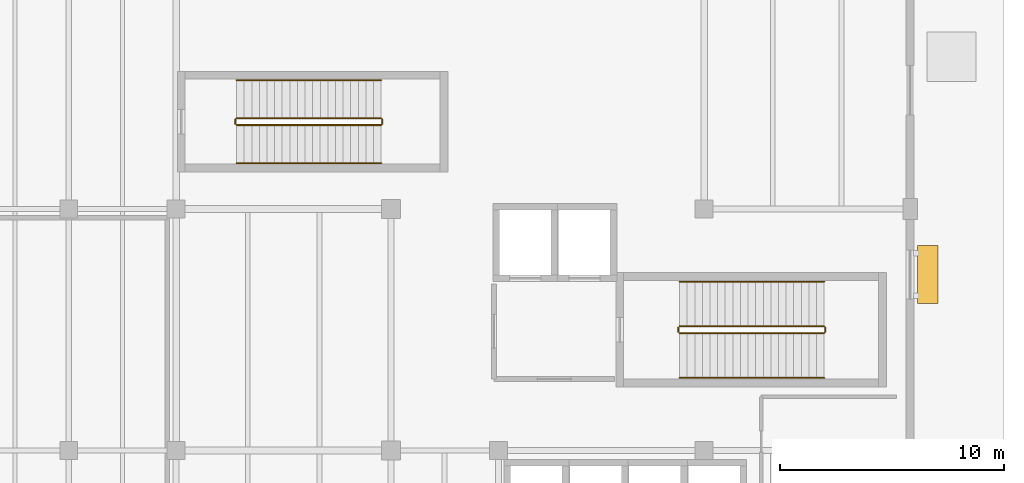
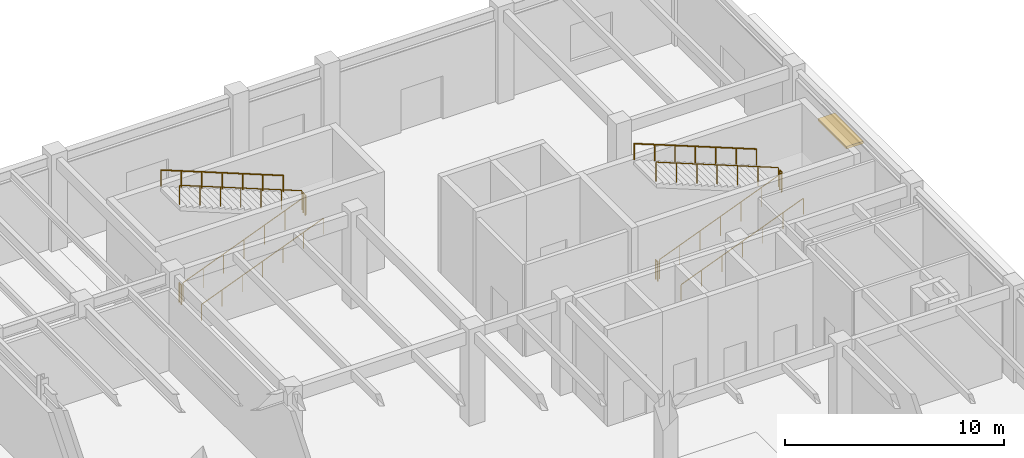
# One storey, part 54 of 54: 12 railings, 1 shading device.
"""IFC4 building model written with IfcOpenShell, lengths in metres."""

from ifc_helpers import new_model, si_unit, direction, frame, origin, origin_2d, place, context, subcontext, project, spatial, rectangle, circle, extrude, material, type_object, element, save


model = new_model("IFC4")

# Units and contexts
model_context = context("Model", 3, precision=1e-05, world=origin(), true_north=direction((0.0, 1.0)))
body_context = subcontext(model_context, "Body", "Model", "MODEL_VIEW")
ifc_project = project(units=[si_unit("LENGTHUNIT", "METRE"), si_unit("AREAUNIT", "SQUARE_METRE"), si_unit("VOLUMEUNIT", "CUBIC_METRE"), si_unit("PLANEANGLEUNIT", "RADIAN"), si_unit("MASSUNIT", "GRAM", prefix="KILO")], contexts=[model_context])

# Site, building, storey
site_placement = place(None, origin())
site = spatial("IfcSite", under=ifc_project, at=site_placement, CompositionType="ELEMENT")
building_placement = place(site_placement, origin())
building = spatial("IfcBuilding", under=site, at=building_placement, Name="Veldera Park Congress Hotel", CompositionType="ELEMENT")
storey_placement = place(building_placement, origin())
storey = spatial("IfcBuildingStorey", under=building, at=storey_placement, Name="L00", CompositionType="ELEMENT", Elevation=0.0)

# Railings
ifc_material_1 = material(Name="Steel ASTM A992 Gr.50", Category="steel")
railing_type_1 = type_object("IfcRailingType", Name="GRD-ST110", PredefinedType="GUARDRAIL", material=ifc_material_1)
railing_1_placement = place(storey_placement, frame((73.699951171875, 41.64990234375, 0.135009765625)))
element("IfcRailing", 1, at=railing_1_placement, inside=storey, type_object=railing_type_1, Name="L00 ST1 stair guard 1", PredefinedType="GUARDRAIL", context=body_context, shape_type="SweptSolid", body=[
    extrude(circle(Radius=0.02392578125, at=origin_2d()), frame((0.0, 0.0, 1.076171875), z_axis=(0.929418439274, 0.0, 0.369027593462), x_axis=(0.0, 1.0, 0.0)), (0.0, 0.0, 1.0), 6.950439453125),
    extrude(circle(Radius=0.02099609375, at=origin_2d()), origin(), (0.0, 0.0, 1.0), 1.052001953125),
    extrude(circle(Radius=0.02099609375, at=origin_2d()), frame((1.07666015625, 0.0, 0.427490234375)), (0.0, 0.0, 1.0), 1.052001953125),
    extrude(circle(Radius=0.02099609375, at=origin_2d()), frame((2.1533203125, 0.0, 0.85498046875)), (0.0, 0.0, 1.0), 1.052001953125),
    extrude(circle(Radius=0.02099609375, at=origin_2d()), frame((3.22998046875, 0.0, 1.282470703125)), (0.0, 0.0, 1.0), 1.052001953125),
    extrude(circle(Radius=0.02099609375, at=origin_2d()), frame((4.306640625, 0.0, 1.7099609375)), (0.0, 0.0, 1.0), 1.052001953125),
    extrude(circle(Radius=0.02099609375, at=origin_2d()), frame((5.38330078125, 0.0, 2.137451171875)), (0.0, 0.0, 1.0), 1.052001953125),
    extrude(circle(Radius=0.02099609375, at=origin_2d()), frame((6.4599609375, 0.0, 2.56494140625)), (0.0, 0.0, 1.0), 1.052001953125),
])
railing_2_placement = place(storey_placement, frame((80.2099609375, 41.699951171875, 2.699951171875)))
element("IfcRailing", 2, at=railing_2_placement, inside=storey, type_object=railing_type_1, Name="L00 ST1 stair guard 2", PredefinedType="GUARDRAIL", context=body_context, shape_type="SweptSolid", body=[
    extrude(circle(Radius=0.02392578125, at=origin_2d()), frame((0.0, 0.0, 1.076171875), z_axis=(0.0, 1.0, 0.0), x_axis=(-1.0, 0.0, 0.0)), (0.0, 0.0, 1.0), 0.199951171875),
    extrude(circle(Radius=0.02099609375, at=origin_2d()), origin(), (0.0, 0.0, 1.0), 1.052001953125),
    extrude(circle(Radius=0.02099609375, at=origin_2d()), frame((0.0, 0.199951171875, 0.0)), (0.0, 0.0, 1.0), 1.052001953125),
])
railing_3_placement = place(storey_placement, frame((80.159912109375, 41.949951171875, 2.8349609375)))
element("IfcRailing", 3, at=railing_3_placement, inside=storey, type_object=railing_type_1, Name="L00 ST1 stair guard 3", PredefinedType="GUARDRAIL", context=body_context, shape_type="SweptSolid", body=[
    extrude(circle(Radius=0.02392578125, at=origin_2d()), frame((0.0, 0.0, 1.076171875), z_axis=(-0.929418439274, 0.0, 0.369027593462), x_axis=(0.0, -1.0, 0.0)), (0.0, 0.0, 1.0), 6.950439453125),
    extrude(circle(Radius=0.02099609375, at=origin_2d()), origin(), (0.0, 0.0, 1.0), 1.052001953125),
    extrude(circle(Radius=0.02099609375, at=origin_2d()), frame((-1.07666015625, 0.0, 0.427490234375)), (0.0, 0.0, 1.0), 1.052001953125),
    extrude(circle(Radius=0.02099609375, at=origin_2d()), frame((-2.1533203125, 0.0, 0.85498046875)), (0.0, 0.0, 1.0), 1.052001953125),
    extrude(circle(Radius=0.02099609375, at=origin_2d()), frame((-3.22998046875, 0.0, 1.282470703125)), (0.0, 0.0, 1.0), 1.052001953125),
    extrude(circle(Radius=0.02099609375, at=origin_2d()), frame((-4.306640625, 0.0, 1.7099609375)), (0.0, 0.0, 1.0), 1.052001953125),
    extrude(circle(Radius=0.02099609375, at=origin_2d()), frame((-5.38330078125, 0.0, 2.137451171875)), (0.0, 0.0, 1.0), 1.052001953125),
    extrude(circle(Radius=0.02099609375, at=origin_2d()), frame((-6.4599609375, 0.0, 2.56494140625)), (0.0, 0.0, 1.0), 1.052001953125),
])
railing_4_placement = place(storey_placement, frame((73.64990234375, 41.699951171875, 0.0)))
element("IfcRailing", 4, at=railing_4_placement, inside=storey, type_object=railing_type_1, Name="L00 ST1 stair guard 4", PredefinedType="GUARDRAIL", context=body_context, shape_type="SweptSolid", body=[
    extrude(circle(Radius=0.02392578125, at=origin_2d()), frame((0.0, 0.0, 1.076171875), z_axis=(0.0, 1.0, 0.0), x_axis=(-1.0, 0.0, 0.0)), (0.0, 0.0, 1.0), 0.199951171875),
    extrude(circle(Radius=0.02099609375, at=origin_2d()), origin(), (0.0, 0.0, 1.0), 1.052001953125),
    extrude(circle(Radius=0.02099609375, at=origin_2d()), frame((0.0, 0.199951171875, 0.0)), (0.0, 0.0, 1.0), 1.052001953125),
])
railing_5_placement = place(storey_placement, frame((53.89990234375, 50.949951171875, 0.135009765625)))
element("IfcRailing", 5, at=railing_5_placement, inside=storey, type_object=railing_type_1, Name="L00 ST3 stair guard 1", PredefinedType="GUARDRAIL", context=body_context, shape_type="SweptSolid", body=[
    extrude(circle(Radius=0.02392578125, at=origin_2d()), frame((0.0, 0.0, 1.076171875), z_axis=(0.929423222467, 0.0, 0.369015546474), x_axis=(0.0, 1.0, 0.0)), (0.0, 0.0, 1.0), 6.95068359375),
    extrude(circle(Radius=0.02099609375, at=origin_2d()), origin(), (0.0, 0.0, 1.0), 1.052001953125),
    extrude(circle(Radius=0.02099609375, at=origin_2d()), frame((1.07666015625, 0.0, 0.427490234375)), (0.0, 0.0, 1.0), 1.052001953125),
    extrude(circle(Radius=0.02099609375, at=origin_2d()), frame((2.1533203125, 0.0, 0.85498046875)), (0.0, 0.0, 1.0), 1.052001953125),
    extrude(circle(Radius=0.02099609375, at=origin_2d()), frame((3.22998046875, 0.0, 1.282470703125)), (0.0, 0.0, 1.0), 1.052001953125),
    extrude(circle(Radius=0.02099609375, at=origin_2d()), frame((4.306884765625, 0.0, 1.7099609375)), (0.0, 0.0, 1.0), 1.052001953125),
    extrude(circle(Radius=0.02099609375, at=origin_2d()), frame((5.383544921875, 0.0, 2.137451171875)), (0.0, 0.0, 1.0), 1.052001953125),
    extrude(circle(Radius=0.02099609375, at=origin_2d()), frame((6.460205078125, 0.0, 2.56494140625)), (0.0, 0.0, 1.0), 1.052001953125),
])
railing_6_placement = place(storey_placement, frame((60.409912109375, 51.0, 2.699951171875)))
element("IfcRailing", 6, at=railing_6_placement, inside=storey, type_object=railing_type_1, Name="L00 ST3 stair guard 2", PredefinedType="GUARDRAIL", context=body_context, shape_type="SweptSolid", body=[
    extrude(circle(Radius=0.02392578125, at=origin_2d()), frame((0.0, 0.0, 1.076171875), z_axis=(0.0, 1.0, 0.0), x_axis=(-1.0, 0.0, 0.0)), (0.0, 0.0, 1.0), 0.199951171875),
    extrude(circle(Radius=0.02099609375, at=origin_2d()), origin(), (0.0, 0.0, 1.0), 1.052001953125),
    extrude(circle(Radius=0.02099609375, at=origin_2d()), frame((0.0, 0.199951171875, 0.0)), (0.0, 0.0, 1.0), 1.052001953125),
])
railing_7_placement = place(storey_placement, frame((60.360107421875, 51.25, 2.8349609375)))
element("IfcRailing", 7, at=railing_7_placement, inside=storey, type_object=railing_type_1, Name="L00 ST3 stair guard 3", PredefinedType="GUARDRAIL", context=body_context, shape_type="SweptSolid", body=[
    extrude(circle(Radius=0.02392578125, at=origin_2d()), frame((0.0, 0.0, 1.076171875), z_axis=(-0.929423222467, 0.0, 0.369015546474), x_axis=(0.0, -1.0, 0.0)), (0.0, 0.0, 1.0), 6.95068359375),
    extrude(circle(Radius=0.02099609375, at=origin_2d()), origin(), (0.0, 0.0, 1.0), 1.052001953125),
    extrude(circle(Radius=0.02099609375, at=origin_2d()), frame((-1.07666015625, 0.0, 0.427490234375)), (0.0, 0.0, 1.0), 1.052001953125),
    extrude(circle(Radius=0.02099609375, at=origin_2d()), frame((-2.1533203125, 0.0, 0.85498046875)), (0.0, 0.0, 1.0), 1.052001953125),
    extrude(circle(Radius=0.02099609375, at=origin_2d()), frame((-3.22998046875, 0.0, 1.282470703125)), (0.0, 0.0, 1.0), 1.052001953125),
    extrude(circle(Radius=0.02099609375, at=origin_2d()), frame((-4.306884765625, 0.0, 1.7099609375)), (0.0, 0.0, 1.0), 1.052001953125),
    extrude(circle(Radius=0.02099609375, at=origin_2d()), frame((-5.383544921875, 0.0, 2.137451171875)), (0.0, 0.0, 1.0), 1.052001953125),
    extrude(circle(Radius=0.02099609375, at=origin_2d()), frame((-6.460205078125, 0.0, 2.56494140625)), (0.0, 0.0, 1.0), 1.052001953125),
])
railing_8_placement = place(storey_placement, frame((53.85009765625, 51.0, 0.0)))
element("IfcRailing", 8, at=railing_8_placement, inside=storey, type_object=railing_type_1, Name="L00 ST3 stair guard 4", PredefinedType="GUARDRAIL", context=body_context, shape_type="SweptSolid", body=[
    extrude(circle(Radius=0.02392578125, at=origin_2d()), frame((0.0, 0.0, 1.076171875), z_axis=(0.0, 1.0, 0.0), x_axis=(-1.0, 0.0, 0.0)), (0.0, 0.0, 1.0), 0.199951171875),
    extrude(circle(Radius=0.02099609375, at=origin_2d()), origin(), (0.0, 0.0, 1.0), 1.052001953125),
    extrude(circle(Radius=0.02099609375, at=origin_2d()), frame((0.0, 0.199951171875, 0.0)), (0.0, 0.0, 1.0), 1.052001953125),
])
railing_type_2 = type_object("IfcRailingType", Name="HRL-920", PredefinedType="HANDRAIL", material=ifc_material_1)
railing_9_placement = place(storey_placement, frame((73.699951171875, 39.64990234375, 0.135009765625)))
element("IfcRailing", 9, at=railing_9_placement, inside=storey, type_object=railing_type_2, Name="L00 ST1 stair handrail 1", PredefinedType="HANDRAIL", context=body_context, shape_type="SweptSolid", body=[
    extrude(circle(Radius=0.02392578125, at=origin_2d()), frame((0.0, 0.0, 0.89599609375), z_axis=(0.929418439274, 0.0, 0.369027593462), x_axis=(0.0, 1.0, 0.0)), (0.0, 0.0, 1.0), 6.950439453125),
    extrude(circle(Radius=0.02099609375, at=origin_2d()), origin(), (0.0, 0.0, 1.0), 0.871826171875),
    extrude(circle(Radius=0.02099609375, at=origin_2d()), frame((1.07666015625, 0.0, 0.427490234375)), (0.0, 0.0, 1.0), 0.871826171875),
    extrude(circle(Radius=0.02099609375, at=origin_2d()), frame((2.1533203125, 0.0, 0.85498046875)), (0.0, 0.0, 1.0), 0.871826171875),
    extrude(circle(Radius=0.02099609375, at=origin_2d()), frame((3.22998046875, 0.0, 1.282470703125)), (0.0, 0.0, 1.0), 0.871826171875),
    extrude(circle(Radius=0.02099609375, at=origin_2d()), frame((4.306640625, 0.0, 1.7099609375)), (0.0, 0.0, 1.0), 0.871826171875),
    extrude(circle(Radius=0.02099609375, at=origin_2d()), frame((5.38330078125, 0.0, 2.137451171875)), (0.0, 0.0, 1.0), 0.871826171875),
    extrude(circle(Radius=0.02099609375, at=origin_2d()), frame((6.4599609375, 0.0, 2.56494140625)), (0.0, 0.0, 1.0), 0.871826171875),
])
railing_10_placement = place(storey_placement, frame((80.159912109375, 43.949951171875, 2.8349609375)))
element("IfcRailing", 10, at=railing_10_placement, inside=storey, type_object=railing_type_2, Name="L00 ST1 stair handrail 2", PredefinedType="HANDRAIL", context=body_context, shape_type="SweptSolid", body=[
    extrude(circle(Radius=0.02392578125, at=origin_2d()), frame((0.0, 0.0, 0.89599609375), z_axis=(-0.929418439274, 0.0, 0.369027593462), x_axis=(0.0, -1.0, 0.0)), (0.0, 0.0, 1.0), 6.950439453125),
    extrude(circle(Radius=0.02099609375, at=origin_2d()), origin(), (0.0, 0.0, 1.0), 0.871826171875),
    extrude(circle(Radius=0.02099609375, at=origin_2d()), frame((-1.07666015625, 0.0, 0.427490234375)), (0.0, 0.0, 1.0), 0.871826171875),
    extrude(circle(Radius=0.02099609375, at=origin_2d()), frame((-2.1533203125, 0.0, 0.85498046875)), (0.0, 0.0, 1.0), 0.871826171875),
    extrude(circle(Radius=0.02099609375, at=origin_2d()), frame((-3.22998046875, 0.0, 1.282470703125)), (0.0, 0.0, 1.0), 0.871826171875),
    extrude(circle(Radius=0.02099609375, at=origin_2d()), frame((-4.306640625, 0.0, 1.7099609375)), (0.0, 0.0, 1.0), 0.871826171875),
    extrude(circle(Radius=0.02099609375, at=origin_2d()), frame((-5.38330078125, 0.0, 2.137451171875)), (0.0, 0.0, 1.0), 0.871826171875),
    extrude(circle(Radius=0.02099609375, at=origin_2d()), frame((-6.4599609375, 0.0, 2.56494140625)), (0.0, 0.0, 1.0), 0.871826171875),
])
railing_11_placement = place(storey_placement, frame((53.89990234375, 49.25, 0.135009765625)))
element("IfcRailing", 11, at=railing_11_placement, inside=storey, type_object=railing_type_2, Name="L00 ST3 stair handrail 1", PredefinedType="HANDRAIL", context=body_context, shape_type="SweptSolid", body=[
    extrude(circle(Radius=0.02392578125, at=origin_2d()), frame((0.0, 0.0, 0.89599609375), z_axis=(0.929423222467, 0.0, 0.369015546474), x_axis=(0.0, 1.0, 0.0)), (0.0, 0.0, 1.0), 6.95068359375),
    extrude(circle(Radius=0.02099609375, at=origin_2d()), origin(), (0.0, 0.0, 1.0), 0.871826171875),
    extrude(circle(Radius=0.02099609375, at=origin_2d()), frame((1.07666015625, 0.0, 0.427490234375)), (0.0, 0.0, 1.0), 0.871826171875),
    extrude(circle(Radius=0.02099609375, at=origin_2d()), frame((2.1533203125, 0.0, 0.85498046875)), (0.0, 0.0, 1.0), 0.871826171875),
    extrude(circle(Radius=0.02099609375, at=origin_2d()), frame((3.22998046875, 0.0, 1.282470703125)), (0.0, 0.0, 1.0), 0.871826171875),
    extrude(circle(Radius=0.02099609375, at=origin_2d()), frame((4.306884765625, 0.0, 1.7099609375)), (0.0, 0.0, 1.0), 0.871826171875),
    extrude(circle(Radius=0.02099609375, at=origin_2d()), frame((5.383544921875, 0.0, 2.137451171875)), (0.0, 0.0, 1.0), 0.871826171875),
    extrude(circle(Radius=0.02099609375, at=origin_2d()), frame((6.460205078125, 0.0, 2.56494140625)), (0.0, 0.0, 1.0), 0.871826171875),
])
railing_12_placement = place(storey_placement, frame((60.360107421875, 52.949951171875, 2.8349609375)))
element("IfcRailing", 12, at=railing_12_placement, inside=storey, type_object=railing_type_2, Name="L00 ST3 stair handrail 2", PredefinedType="HANDRAIL", context=body_context, shape_type="SweptSolid", body=[
    extrude(circle(Radius=0.02392578125, at=origin_2d()), frame((0.0, 0.0, 0.89599609375), z_axis=(-0.929423222467, 0.0, 0.369015546474), x_axis=(0.0, -1.0, 0.0)), (0.0, 0.0, 1.0), 6.95068359375),
    extrude(circle(Radius=0.02099609375, at=origin_2d()), origin(), (0.0, 0.0, 1.0), 0.871826171875),
    extrude(circle(Radius=0.02099609375, at=origin_2d()), frame((-1.07666015625, 0.0, 0.427490234375)), (0.0, 0.0, 1.0), 0.871826171875),
    extrude(circle(Radius=0.02099609375, at=origin_2d()), frame((-2.1533203125, 0.0, 0.85498046875)), (0.0, 0.0, 1.0), 0.871826171875),
    extrude(circle(Radius=0.02099609375, at=origin_2d()), frame((-3.22998046875, 0.0, 1.282470703125)), (0.0, 0.0, 1.0), 0.871826171875),
    extrude(circle(Radius=0.02099609375, at=origin_2d()), frame((-4.306884765625, 0.0, 1.7099609375)), (0.0, 0.0, 1.0), 0.871826171875),
    extrude(circle(Radius=0.02099609375, at=origin_2d()), frame((-5.383544921875, 0.0, 2.137451171875)), (0.0, 0.0, 1.0), 0.871826171875),
    extrude(circle(Radius=0.02099609375, at=origin_2d()), frame((-6.460205078125, 0.0, 2.56494140625)), (0.0, 0.0, 1.0), 0.871826171875),
])

# Shading device
ifc_material_2 = material(Name="Glulam GL28h (NDS 24F-V4)", Category="wood")
shading_device_type = type_object("IfcShadingDeviceType", Name="SHD-SHF450", PredefinedType="AWNING", material=ifc_material_2)
shading_device_placement = place(storey_placement, frame((84.7900390625, 44.263427734375, 2.85986328125), z_axis=(0.0, 0.0, 1.0), x_axis=(0.0, 1.0, 0.0)))
element("IfcShadingDevice", 13, at=shading_device_placement, inside=storey, type_object=shading_device_type, Name="Glulam Solar Shade 91", PredefinedType="AWNING", context=body_context, shape_type="SweptSolid", body=[
    extrude(rectangle(XDim=2.60009765625, YDim=0.89990234375, at=origin_2d()), origin(), (0.0, 0.0, 1.0), 0.139892578125),
])

save(model, "model.ifc")
